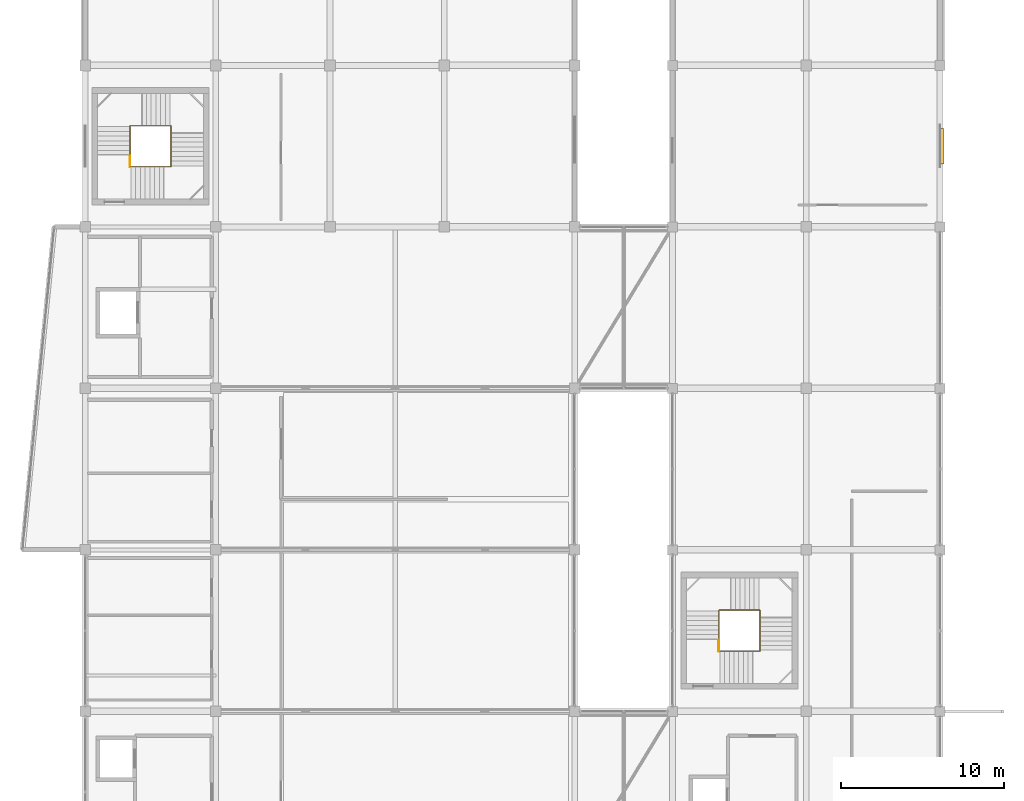
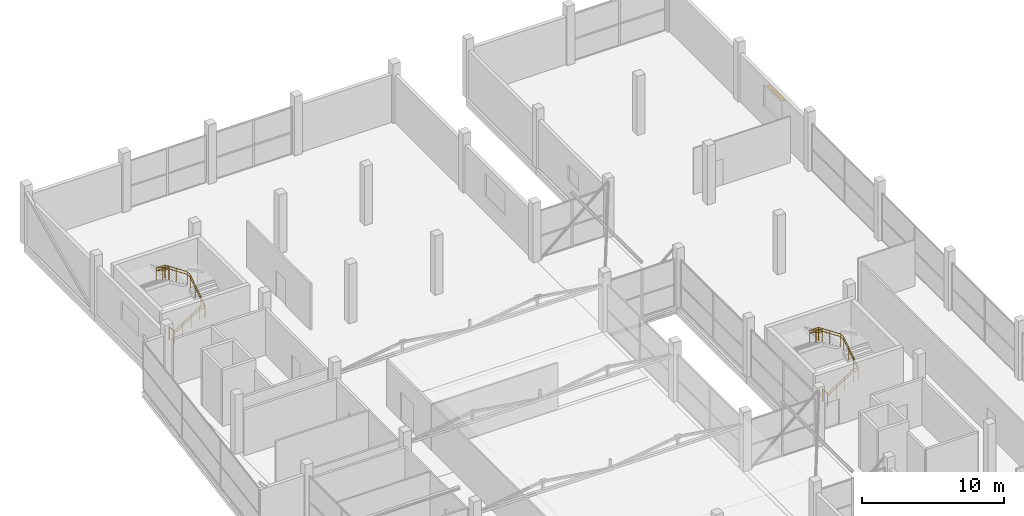
# One storey, part 58 of 58: 6 railings, 1 shading device.
"""IFC4 building model written with IfcOpenShell, lengths in metres."""

from ifc_helpers import new_model, si_unit, direction, frame, origin, origin_2d, place, context, subcontext, project, spatial, rectangle, circle, extrude, material, type_object, element, save


model = new_model("IFC4")

# Units and contexts
model_context = context("Model", 3, precision=1e-05, world=origin(), true_north=direction((0.0, 1.0)))
body_context = subcontext(model_context, "Body", "Model", "MODEL_VIEW")
ifc_project = project(units=[si_unit("LENGTHUNIT", "METRE"), si_unit("AREAUNIT", "SQUARE_METRE"), si_unit("VOLUMEUNIT", "CUBIC_METRE"), si_unit("PLANEANGLEUNIT", "RADIAN"), si_unit("MASSUNIT", "GRAM", prefix="KILO")], contexts=[model_context])

# Site, building, storey
site_placement = place(None, origin())
site = spatial("IfcSite", under=ifc_project, at=site_placement, CompositionType="ELEMENT")
building_placement = place(site_placement, origin())
building = spatial("IfcBuilding", under=site, at=building_placement, Name="Sillaruma Civic Art Gallery", CompositionType="ELEMENT")
storey_placement = place(building_placement, frame((0.0, 0.0, 52.02001953125)))
storey = spatial("IfcBuildingStorey", under=building, at=storey_placement, Name="L10", CompositionType="ELEMENT", Elevation=52.02001953125)

# Railings
ifc_material_1 = material(Name="Stainless Steel AISI 316", Category="steel")
railing_type_1 = type_object("IfcRailingType", Name="RAL-BAL-1150", PredefinedType="BALUSTRADE", material=ifc_material_1)
railing_1_placement = place(storey_placement, frame((64.739990234375, 82.889892578125, 0.0)))
element("IfcRailing", 1, at=railing_1_placement, inside=storey, type_object=railing_type_1, Name="Stair Floor Edge Guard (ST-02:L10)", PredefinedType="BALUSTRADE", context=body_context, shape_type="SweptSolid", body=[
    extrude(circle(Radius=0.02392578125, at=origin_2d()), frame((0.0, 0.0, 1.1259765625), z_axis=(0.0, 1.0, 0.0), x_axis=(-1.0, 0.0, 0.0)), (0.0, 0.0, 1.0), 0.68017578125),
    extrude(circle(Radius=0.02099609375, at=origin_2d()), origin(), (0.0, 0.0, 1.0), 1.101806640625),
    extrude(circle(Radius=0.02099609375, at=origin_2d()), frame((0.0, 0.68017578125, 0.0)), (0.0, 0.0, 1.0), 1.101806640625),
])
railing_2_placement = place(storey_placement, frame((64.739990234375, 82.889892578125, 0.0)))
element("IfcRailing", 2, at=railing_2_placement, inside=storey, type_object=railing_type_1, Name="Stair Well Balustrade (ST-02-L10)", PredefinedType="BALUSTRADE", context=body_context, shape_type="SweptSolid", body=[
    extrude(circle(Radius=0.02392578125, at=origin_2d()), frame((0.0, 0.0, 1.1259765625), z_axis=(0.838204181713, 0.0, 0.545356534534), x_axis=(0.0, 1.0, 0.0)), (0.0, 0.0, 1.0), 2.49365234375),
    extrude(circle(Radius=0.02392578125, at=origin_2d()), frame((2.090087890625, 0.0, 2.48583984375), z_axis=(1.0, 0.0, 0.0), x_axis=(0.0, 1.0, 0.0)), (0.0, 0.0, 1.0), 0.429931640625),
    extrude(circle(Radius=0.02392578125, at=origin_2d()), frame((2.52001953125, 0.0, 2.48583984375), z_axis=(0.0, 0.838159424827, 0.545425318971), x_axis=(-1.0, 0.0, 0.0)), (0.0, 0.0, 1.0), 2.49365234375),
    extrude(circle(Radius=0.02392578125, at=origin_2d()), frame((2.52001953125, 2.090087890625, 3.845703125), z_axis=(0.0, 1.0, 0.0), x_axis=(-1.0, 0.0, 0.0)), (0.0, 0.0, 1.0), 0.429931640625),
    extrude(circle(Radius=0.02392578125, at=origin_2d()), frame((2.52001953125, 2.52001953125, 3.845703125), z_axis=(-0.834202413191, 0.0, 0.551458369984), x_axis=(0.0, -1.0, 0.0)), (0.0, 0.0, 1.0), 2.15771484375),
    extrude(circle(Radius=0.02392578125, at=origin_2d()), frame((0.719970703125, 2.52001953125, 5.03564453125), z_axis=(-1.0, 0.0, 0.0), x_axis=(0.0, -1.0, 0.0)), (0.0, 0.0, 1.0), 0.719970703125),
    extrude(circle(Radius=0.02392578125, at=origin_2d()), frame((0.0, 2.52001953125, 5.03564453125), z_axis=(0.0, -0.83411594383, 0.551589151678), x_axis=(1.0, 0.0, 0.0)), (0.0, 0.0, 1.0), 2.15771484375),
    extrude(circle(Radius=0.02099609375, at=origin_2d()), origin(), (0.0, 0.0, 1.0), 1.101806640625),
    extrude(circle(Radius=0.02099609375, at=origin_2d()), frame((0.69677734375, 0.0, 0.453369140625)), (0.0, 0.0, 1.0), 1.101806640625),
    extrude(circle(Radius=0.02099609375, at=origin_2d()), frame((1.393310546875, 0.0, 0.906494140625)), (0.0, 0.0, 1.0), 1.101806640625),
    extrude(circle(Radius=0.02099609375, at=origin_2d()), frame((2.090087890625, 0.0, 1.35986328125)), (0.0, 0.0, 1.0), 1.101806640625),
    extrude(circle(Radius=0.02099609375, at=origin_2d()), frame((2.52001953125, 0.0, 1.35986328125)), (0.0, 0.0, 1.0), 1.101806640625),
    extrude(circle(Radius=0.02099609375, at=origin_2d()), frame((2.52001953125, 0.69677734375, 1.813232421875)), (0.0, 0.0, 1.0), 1.101806640625),
    extrude(circle(Radius=0.02099609375, at=origin_2d()), frame((2.52001953125, 1.393310546875, 2.2666015625)), (0.0, 0.0, 1.0), 1.101806640625),
    extrude(circle(Radius=0.02099609375, at=origin_2d()), frame((2.52001953125, 2.090087890625, 2.719970703125)), (0.0, 0.0, 1.0), 1.101806640625),
    extrude(circle(Radius=0.02099609375, at=origin_2d()), frame((2.52001953125, 2.52001953125, 2.719970703125)), (0.0, 0.0, 1.0), 1.101806640625),
    extrude(circle(Radius=0.02099609375, at=origin_2d()), frame((1.6201171875, 2.52001953125, 3.31494140625)), (0.0, 0.0, 1.0), 1.101806640625),
    extrude(circle(Radius=0.02099609375, at=origin_2d()), frame((0.719970703125, 2.52001953125, 3.909912109375)), (0.0, 0.0, 1.0), 1.101806640625),
    extrude(circle(Radius=0.02099609375, at=origin_2d()), frame((0.0, 2.52001953125, 3.909912109375)), (0.0, 0.0, 1.0), 1.101806640625),
    extrude(circle(Radius=0.02099609375, at=origin_2d()), frame((0.0, 1.6201171875, 4.5048828125)), (0.0, 0.0, 1.0), 1.101806640625),
    extrude(circle(Radius=0.02099609375, at=origin_2d()), frame((0.0, 0.72021484375, 5.10009765625)), (0.0, 0.0, 1.0), 1.101806640625),
])
railing_3_placement = place(storey_placement, frame((100.840087890625, 53.18994140625, 0.0)))
element("IfcRailing", 3, at=railing_3_placement, inside=storey, type_object=railing_type_1, Name="Stair Floor Edge Guard (ST-04:L10)", PredefinedType="BALUSTRADE", context=body_context, shape_type="SweptSolid", body=[
    extrude(circle(Radius=0.02392578125, at=origin_2d()), frame((0.0, 0.0, 1.1259765625), z_axis=(0.0, 1.0, 0.0), x_axis=(-1.0, 0.0, 0.0)), (0.0, 0.0, 1.0), 0.68017578125),
    extrude(circle(Radius=0.02099609375, at=origin_2d()), origin(), (0.0, 0.0, 1.0), 1.101806640625),
    extrude(circle(Radius=0.02099609375, at=origin_2d()), frame((0.0, 0.68017578125, 0.0)), (0.0, 0.0, 1.0), 1.101806640625),
])
railing_4_placement = place(storey_placement, frame((100.840087890625, 53.18994140625, 0.0)))
element("IfcRailing", 4, at=railing_4_placement, inside=storey, type_object=railing_type_1, Name="Stair Well Balustrade (ST-04-L10)", PredefinedType="BALUSTRADE", context=body_context, shape_type="SweptSolid", body=[
    extrude(circle(Radius=0.02392578125, at=origin_2d()), frame((0.0, 0.0, 1.1259765625), z_axis=(0.838175058464, 0.0, 0.545401293883), x_axis=(0.0, 1.0, 0.0)), (0.0, 0.0, 1.0), 2.493408203125),
    extrude(circle(Radius=0.02392578125, at=origin_2d()), frame((2.08984375, 0.0, 2.48583984375), z_axis=(1.0, 0.0, 0.0), x_axis=(0.0, 1.0, 0.0)), (0.0, 0.0, 1.0), 0.43017578125),
    extrude(circle(Radius=0.02392578125, at=origin_2d()), frame((2.52001953125, 0.0, 2.48583984375), z_axis=(0.0, 0.838159424827, 0.545425318971), x_axis=(-1.0, 0.0, 0.0)), (0.0, 0.0, 1.0), 2.49365234375),
    extrude(circle(Radius=0.02392578125, at=origin_2d()), frame((2.52001953125, 2.090087890625, 3.845703125), z_axis=(0.0, 1.0, 0.0), x_axis=(-1.0, 0.0, 0.0)), (0.0, 0.0, 1.0), 0.429931640625),
    extrude(circle(Radius=0.02392578125, at=origin_2d()), frame((2.52001953125, 2.52001953125, 3.845703125), z_axis=(-0.834202413191, 0.0, 0.551458369984), x_axis=(0.0, -1.0, 0.0)), (0.0, 0.0, 1.0), 2.15771484375),
    extrude(circle(Radius=0.02392578125, at=origin_2d()), frame((0.719970703125, 2.52001953125, 5.03564453125), z_axis=(-1.0, 0.0, 0.0), x_axis=(0.0, -1.0, 0.0)), (0.0, 0.0, 1.0), 0.719970703125),
    extrude(circle(Radius=0.02392578125, at=origin_2d()), frame((0.0, 2.52001953125, 5.03564453125), z_axis=(0.0, -0.834150363844, 0.551537098025), x_axis=(1.0, 0.0, 0.0)), (0.0, 0.0, 1.0), 2.157958984375),
    extrude(circle(Radius=0.02099609375, at=origin_2d()), origin(), (0.0, 0.0, 1.0), 1.101806640625),
    extrude(circle(Radius=0.02099609375, at=origin_2d()), frame((0.696533203125, 0.0, 0.453369140625)), (0.0, 0.0, 1.0), 1.101806640625),
    extrude(circle(Radius=0.02099609375, at=origin_2d()), frame((1.393310546875, 0.0, 0.906494140625)), (0.0, 0.0, 1.0), 1.101806640625),
    extrude(circle(Radius=0.02099609375, at=origin_2d()), frame((2.08984375, 0.0, 1.35986328125)), (0.0, 0.0, 1.0), 1.101806640625),
    extrude(circle(Radius=0.02099609375, at=origin_2d()), frame((2.52001953125, 0.0, 1.35986328125)), (0.0, 0.0, 1.0), 1.101806640625),
    extrude(circle(Radius=0.02099609375, at=origin_2d()), frame((2.52001953125, 0.69677734375, 1.813232421875)), (0.0, 0.0, 1.0), 1.101806640625),
    extrude(circle(Radius=0.02099609375, at=origin_2d()), frame((2.52001953125, 1.393310546875, 2.2666015625)), (0.0, 0.0, 1.0), 1.101806640625),
    extrude(circle(Radius=0.02099609375, at=origin_2d()), frame((2.52001953125, 2.090087890625, 2.719970703125)), (0.0, 0.0, 1.0), 1.101806640625),
    extrude(circle(Radius=0.02099609375, at=origin_2d()), frame((2.52001953125, 2.52001953125, 2.719970703125)), (0.0, 0.0, 1.0), 1.101806640625),
    extrude(circle(Radius=0.02099609375, at=origin_2d()), frame((1.6201171875, 2.52001953125, 3.31494140625)), (0.0, 0.0, 1.0), 1.101806640625),
    extrude(circle(Radius=0.02099609375, at=origin_2d()), frame((0.719970703125, 2.52001953125, 3.909912109375)), (0.0, 0.0, 1.0), 1.101806640625),
    extrude(circle(Radius=0.02099609375, at=origin_2d()), frame((0.0, 2.52001953125, 3.909912109375)), (0.0, 0.0, 1.0), 1.101806640625),
    extrude(circle(Radius=0.02099609375, at=origin_2d()), frame((0.0, 1.6201171875, 4.5048828125)), (0.0, 0.0, 1.0), 1.101806640625),
    extrude(circle(Radius=0.02099609375, at=origin_2d()), frame((0.0, 0.719970703125, 5.10009765625)), (0.0, 0.0, 1.0), 1.101806640625),
])
railing_type_2 = type_object("IfcRailingType", Name="RAL-HND-920", PredefinedType="HANDRAIL", material=ifc_material_1)
railing_5_placement = place(storey_placement, frame((64.739990234375, 82.889892578125, 0.0)))
element("IfcRailing", 5, at=railing_5_placement, inside=storey, type_object=railing_type_2, Name="Stair Continuous Handrail (ST-02-L10)", PredefinedType="HANDRAIL", context=body_context, shape_type="SweptSolid", body=[
    extrude(circle(Radius=0.02392578125, at=origin_2d()), frame((0.0, 0.0, 0.89599609375), z_axis=(0.838204181713, 0.0, 0.545356534534), x_axis=(0.0, 1.0, 0.0)), (0.0, 0.0, 1.0), 2.49365234375),
    extrude(circle(Radius=0.02392578125, at=origin_2d()), frame((2.090087890625, 0.0, 2.255859375), z_axis=(1.0, 0.0, 0.0), x_axis=(0.0, 1.0, 0.0)), (0.0, 0.0, 1.0), 0.429931640625),
    extrude(circle(Radius=0.02392578125, at=origin_2d()), frame((2.52001953125, 0.0, 2.255859375), z_axis=(0.0, 0.838159424827, 0.545425318971), x_axis=(-1.0, 0.0, 0.0)), (0.0, 0.0, 1.0), 2.49365234375),
    extrude(circle(Radius=0.02392578125, at=origin_2d()), frame((2.52001953125, 2.090087890625, 3.61572265625), z_axis=(0.0, 1.0, 0.0), x_axis=(-1.0, 0.0, 0.0)), (0.0, 0.0, 1.0), 0.429931640625),
    extrude(circle(Radius=0.02392578125, at=origin_2d()), frame((2.52001953125, 2.52001953125, 3.61572265625), z_axis=(-0.834202413191, 0.0, 0.551458369984), x_axis=(0.0, -1.0, 0.0)), (0.0, 0.0, 1.0), 2.15771484375),
    extrude(circle(Radius=0.02392578125, at=origin_2d()), frame((0.719970703125, 2.52001953125, 4.8056640625), z_axis=(-1.0, 0.0, 0.0), x_axis=(0.0, -1.0, 0.0)), (0.0, 0.0, 1.0), 0.719970703125),
    extrude(circle(Radius=0.02392578125, at=origin_2d()), frame((0.0, 2.52001953125, 4.8056640625), z_axis=(0.0, -0.83411594383, 0.551589151678), x_axis=(1.0, 0.0, 0.0)), (0.0, 0.0, 1.0), 2.15771484375),
    extrude(circle(Radius=0.02099609375, at=origin_2d()), origin(), (0.0, 0.0, 1.0), 0.871826171875),
    extrude(circle(Radius=0.02099609375, at=origin_2d()), frame((0.69677734375, 0.0, 0.453369140625)), (0.0, 0.0, 1.0), 0.871826171875),
    extrude(circle(Radius=0.02099609375, at=origin_2d()), frame((1.393310546875, 0.0, 0.906494140625)), (0.0, 0.0, 1.0), 0.871826171875),
    extrude(circle(Radius=0.02099609375, at=origin_2d()), frame((2.090087890625, 0.0, 1.35986328125)), (0.0, 0.0, 1.0), 0.871826171875),
    extrude(circle(Radius=0.02099609375, at=origin_2d()), frame((2.52001953125, 0.0, 1.35986328125)), (0.0, 0.0, 1.0), 0.871826171875),
    extrude(circle(Radius=0.02099609375, at=origin_2d()), frame((2.52001953125, 0.69677734375, 1.813232421875)), (0.0, 0.0, 1.0), 0.871826171875),
    extrude(circle(Radius=0.02099609375, at=origin_2d()), frame((2.52001953125, 1.393310546875, 2.2666015625)), (0.0, 0.0, 1.0), 0.871826171875),
    extrude(circle(Radius=0.02099609375, at=origin_2d()), frame((2.52001953125, 2.090087890625, 2.719970703125)), (0.0, 0.0, 1.0), 0.871826171875),
    extrude(circle(Radius=0.02099609375, at=origin_2d()), frame((2.52001953125, 2.52001953125, 2.719970703125)), (0.0, 0.0, 1.0), 0.871826171875),
    extrude(circle(Radius=0.02099609375, at=origin_2d()), frame((1.6201171875, 2.52001953125, 3.31494140625)), (0.0, 0.0, 1.0), 0.871826171875),
    extrude(circle(Radius=0.02099609375, at=origin_2d()), frame((0.719970703125, 2.52001953125, 3.909912109375)), (0.0, 0.0, 1.0), 0.871826171875),
    extrude(circle(Radius=0.02099609375, at=origin_2d()), frame((0.0, 2.52001953125, 3.909912109375)), (0.0, 0.0, 1.0), 0.871826171875),
    extrude(circle(Radius=0.02099609375, at=origin_2d()), frame((0.0, 1.6201171875, 4.5048828125)), (0.0, 0.0, 1.0), 0.871826171875),
    extrude(circle(Radius=0.02099609375, at=origin_2d()), frame((0.0, 0.72021484375, 5.10009765625)), (0.0, 0.0, 1.0), 0.871826171875),
])
railing_6_placement = place(storey_placement, frame((100.840087890625, 53.18994140625, 0.0)))
element("IfcRailing", 6, at=railing_6_placement, inside=storey, type_object=railing_type_2, Name="Stair Continuous Handrail (ST-04-L10)", PredefinedType="HANDRAIL", context=body_context, shape_type="SweptSolid", body=[
    extrude(circle(Radius=0.02392578125, at=origin_2d()), frame((0.0, 0.0, 0.89599609375), z_axis=(0.838175058464, 0.0, 0.545401293883), x_axis=(0.0, 1.0, 0.0)), (0.0, 0.0, 1.0), 2.493408203125),
    extrude(circle(Radius=0.02392578125, at=origin_2d()), frame((2.08984375, 0.0, 2.255859375), z_axis=(1.0, 0.0, 0.0), x_axis=(0.0, 1.0, 0.0)), (0.0, 0.0, 1.0), 0.43017578125),
    extrude(circle(Radius=0.02392578125, at=origin_2d()), frame((2.52001953125, 0.0, 2.255859375), z_axis=(0.0, 0.838159424827, 0.545425318971), x_axis=(-1.0, 0.0, 0.0)), (0.0, 0.0, 1.0), 2.49365234375),
    extrude(circle(Radius=0.02392578125, at=origin_2d()), frame((2.52001953125, 2.090087890625, 3.61572265625), z_axis=(0.0, 1.0, 0.0), x_axis=(-1.0, 0.0, 0.0)), (0.0, 0.0, 1.0), 0.429931640625),
    extrude(circle(Radius=0.02392578125, at=origin_2d()), frame((2.52001953125, 2.52001953125, 3.61572265625), z_axis=(-0.834202413191, 0.0, 0.551458369984), x_axis=(0.0, -1.0, 0.0)), (0.0, 0.0, 1.0), 2.15771484375),
    extrude(circle(Radius=0.02392578125, at=origin_2d()), frame((0.719970703125, 2.52001953125, 4.8056640625), z_axis=(-1.0, 0.0, 0.0), x_axis=(0.0, -1.0, 0.0)), (0.0, 0.0, 1.0), 0.719970703125),
    extrude(circle(Radius=0.02392578125, at=origin_2d()), frame((0.0, 2.52001953125, 4.8056640625), z_axis=(0.0, -0.834150363844, 0.551537098025), x_axis=(1.0, 0.0, 0.0)), (0.0, 0.0, 1.0), 2.157958984375),
    extrude(circle(Radius=0.02099609375, at=origin_2d()), origin(), (0.0, 0.0, 1.0), 0.871826171875),
    extrude(circle(Radius=0.02099609375, at=origin_2d()), frame((0.696533203125, 0.0, 0.453369140625)), (0.0, 0.0, 1.0), 0.871826171875),
    extrude(circle(Radius=0.02099609375, at=origin_2d()), frame((1.393310546875, 0.0, 0.906494140625)), (0.0, 0.0, 1.0), 0.871826171875),
    extrude(circle(Radius=0.02099609375, at=origin_2d()), frame((2.08984375, 0.0, 1.35986328125)), (0.0, 0.0, 1.0), 0.871826171875),
    extrude(circle(Radius=0.02099609375, at=origin_2d()), frame((2.52001953125, 0.0, 1.35986328125)), (0.0, 0.0, 1.0), 0.871826171875),
    extrude(circle(Radius=0.02099609375, at=origin_2d()), frame((2.52001953125, 0.69677734375, 1.813232421875)), (0.0, 0.0, 1.0), 0.871826171875),
    extrude(circle(Radius=0.02099609375, at=origin_2d()), frame((2.52001953125, 1.393310546875, 2.2666015625)), (0.0, 0.0, 1.0), 0.871826171875),
    extrude(circle(Radius=0.02099609375, at=origin_2d()), frame((2.52001953125, 2.090087890625, 2.719970703125)), (0.0, 0.0, 1.0), 0.871826171875),
    extrude(circle(Radius=0.02099609375, at=origin_2d()), frame((2.52001953125, 2.52001953125, 2.719970703125)), (0.0, 0.0, 1.0), 0.871826171875),
    extrude(circle(Radius=0.02099609375, at=origin_2d()), frame((1.6201171875, 2.52001953125, 3.31494140625)), (0.0, 0.0, 1.0), 0.871826171875),
    extrude(circle(Radius=0.02099609375, at=origin_2d()), frame((0.719970703125, 2.52001953125, 3.909912109375)), (0.0, 0.0, 1.0), 0.871826171875),
    extrude(circle(Radius=0.02099609375, at=origin_2d()), frame((0.0, 2.52001953125, 3.909912109375)), (0.0, 0.0, 1.0), 0.871826171875),
    extrude(circle(Radius=0.02099609375, at=origin_2d()), frame((0.0, 1.6201171875, 4.5048828125)), (0.0, 0.0, 1.0), 0.871826171875),
    extrude(circle(Radius=0.02099609375, at=origin_2d()), frame((0.0, 0.719970703125, 5.10009765625)), (0.0, 0.0, 1.0), 0.871826171875),
])

# Shading device
ifc_material_2 = material(Name="Anodised Extruded Aluminium 6063-T6", Category="aluminium")
shading_device_type = type_object("IfcShadingDeviceType", Name="SHD-LOU-03", PredefinedType="USERDEFINED", material=ifc_material_2)
shading_device_placement = place(storey_placement, frame((114.5400390625, 84.14990234375, 3.4248046875), z_axis=(0.0, 0.0, 1.0), x_axis=(0.0, 1.0, 0.0)))
element("IfcShadingDevice", 7, at=shading_device_placement, inside=storey, type_object=shading_device_type, Name="Studio Solar Louvre Baffle (L10-7)", ObjectType="LOUVRE", PredefinedType="USERDEFINED", context=body_context, shape_type="SweptSolid", body=[
    extrude(rectangle(XDim=2.199951171875, YDim=0.219970703125, at=origin_2d()), origin(), (0.0, 0.0, 1.0), 0.050048828125),
])

save(model, "model.ifc")
